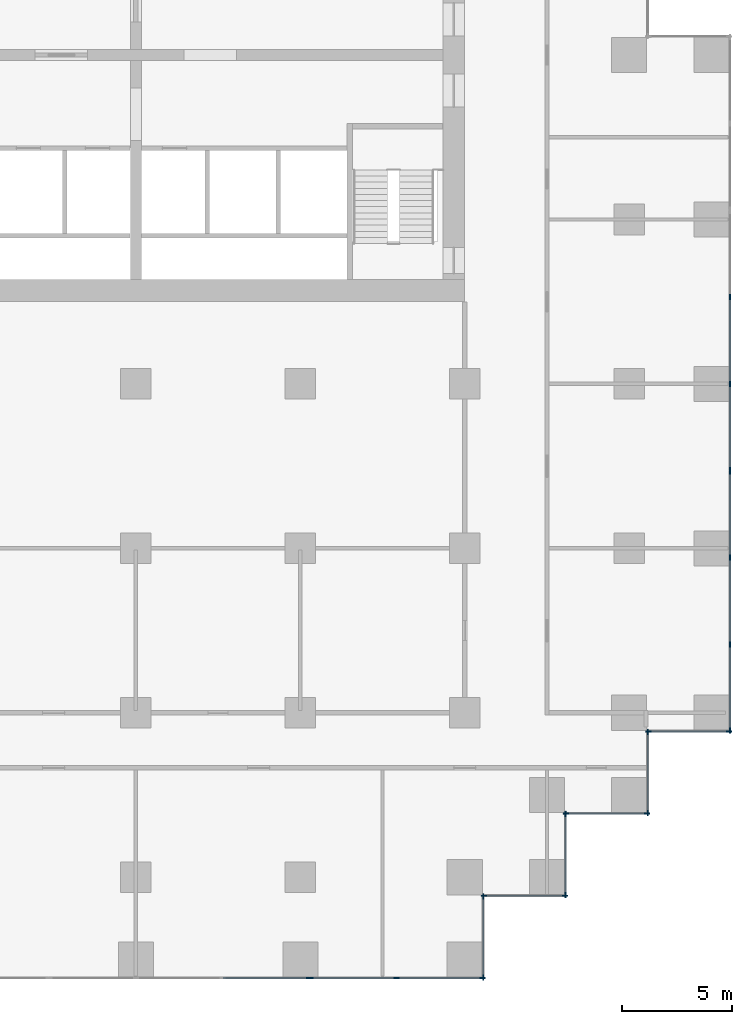
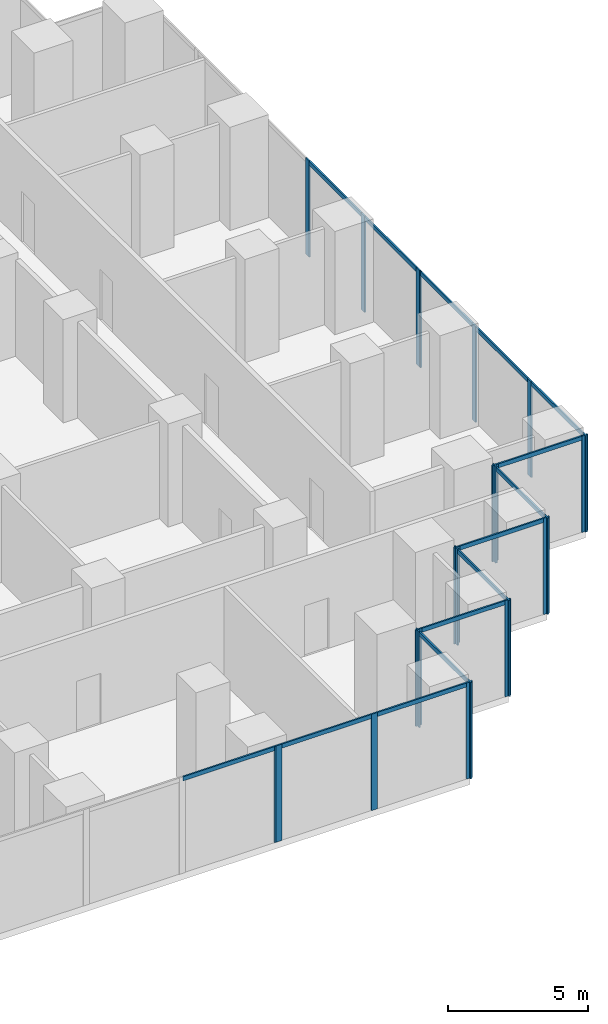
# One storey, part 3 of 10: 37 members, 10 elements without a shape of their own.
"""IFC4 building model written with IfcOpenShell, lengths in metres."""

import ifcopenshell
import ifcopenshell.guid

model = None  # the IFC model being written
_history = None  # IfcOwnerHistory: only IFC2X3 demands one
_inside = {}  # id of a spatial element -> (the spatial element, [elements in it])
_under = {}  # id of a project, library or spatial element -> (it, [spatial elements below it])
_declared = {}  # id of a project -> (the project, [libraries it declares])
_typed = {}  # id of a type object -> (the type object, [elements of that type])
_made_of = {}  # id of a material, layer set ... -> (it, [elements and type objects made of it])


def new_model(schema):
    """Start an empty IFC model of exactly this schema.

    Asked for "IFC4X3", IfcOpenShell would pick the latest addendum, in which some entities
    have other attributes; the version numbers below select the first issue.
    IFC2X3 requires an IfcOwnerHistory on every rooted entity: one is made here for all.
    """
    global model, _history
    if schema == "IFC4X3":
        model = ifcopenshell.file(schema_version=(4, 3, 0, 0))
    else:
        model = ifcopenshell.file(schema=schema)
    _inside.clear()
    _under.clear()
    _declared.clear()
    _typed.clear()
    _made_of.clear()
    _history = None
    if model.schema == "IFC2X3":
        org = make("IfcOrganization", Name="unknown")
        user = make(
            "IfcPersonAndOrganization",
            ThePerson=make("IfcPerson", FamilyName="unknown"),
            TheOrganization=org,
        )
        app = make(
            "IfcApplication",
            ApplicationDeveloper=org,
            Version="unknown",
            ApplicationFullName="unknown",
            ApplicationIdentifier="unknown",
        )
        _history = make(
            "IfcOwnerHistory",
            OwningUser=user,
            OwningApplication=app,
            ChangeAction="ADDED",
            CreationDate=0,
        )
    return model


def make(cls, **values):
    """One entity of the class cls with the attributes given. An attribute that is None is left unset."""
    return model.create_entity(
        cls, **{name: value for name, value in values.items() if value is not None}
    )


def rooted(cls, **values):
    """An entity with a GlobalId (a new one), such as an element, a storey or a relation."""
    return make(cls, GlobalId=ifcopenshell.guid.new(), OwnerHistory=_history, **values)


def si_unit(unit_type, name, prefix=None):
    """IfcSIUnit, for example si_unit("LENGTHUNIT", "METRE", prefix="MILLI")."""
    return make("IfcSIUnit", UnitType=unit_type, Prefix=prefix, Name=name)


def assignment(units):
    """IfcUnitAssignment: the units of a project."""
    return None if units is None else make("IfcUnitAssignment", Units=units)


def point(xyz):
    """IfcCartesianPoint."""
    return None if xyz is None else make("IfcCartesianPoint", Coordinates=xyz)


def direction(xyz):
    """IfcDirection."""
    return None if xyz is None else make("IfcDirection", DirectionRatios=xyz)


def frame(location, z_axis=None, x_axis=None):
    """IfcAxis2Placement3D, a coordinate frame: its origin and axes. An axis left out is left unset."""
    return make(
        "IfcAxis2Placement3D",
        Location=point(location),
        Axis=direction(z_axis),
        RefDirection=direction(x_axis),
    )


def frame_2d(location, x_axis=None):
    """IfcAxis2Placement2D, a coordinate frame in the plane: its origin and x axis."""
    return make(
        "IfcAxis2Placement2D", Location=point(location), RefDirection=direction(x_axis)
    )


def origin():
    """The frame at (0, 0, 0) with its axes left unset."""
    return frame((0.0, 0.0, 0.0))


def origin_2d():
    """The frame at (0, 0) in the plane with its x axis left unset."""
    return frame_2d((0.0, 0.0))


def place(relative_to, where):
    """IfcLocalPlacement: puts the frame where relative to a parent placement (None: the world)."""
    return make(
        "IfcLocalPlacement", PlacementRelTo=relative_to, RelativePlacement=where
    )


def context(
    kind, dimensions, precision=None, world=None, true_north=None, identifier=None
):
    """IfcGeometricRepresentationContext, for example the 3D "Model" context."""
    return make(
        "IfcGeometricRepresentationContext",
        ContextIdentifier=identifier,
        ContextType=kind,
        CoordinateSpaceDimension=dimensions,
        Precision=precision,
        WorldCoordinateSystem=world,
        TrueNorth=true_north,
    )


def subcontext(parent, identifier, kind, view, scale=None):
    """IfcGeometricRepresentationSubContext, for example "Body" below "Model"."""
    return make(
        "IfcGeometricRepresentationSubContext",
        ContextIdentifier=identifier,
        ContextType=kind,
        ParentContext=parent,
        TargetScale=scale,
        TargetView=view,
    )


def project(units=None, contexts=None):
    """IfcProject with its units and contexts."""
    return rooted(
        "IfcProject",
        Name="project",
        RepresentationContexts=contexts,
        UnitsInContext=assignment(units),
    )


def spatial(cls, under=None, at=None, **own):
    """A site, building, storey or space (cls), placed at a placement, below another one or the project."""
    s = rooted(cls, ObjectPlacement=at, **own)
    if under is not None:
        _under.setdefault(under.id(), (under, []))[1].append(s)
    return s


def profile(cls, at=None, kind="AREA", **sizes):
    """A parametric profile (cls). Its sizes go by their IFC names, for example OverallWidth=200.0."""
    return make(cls, ProfileType=kind, Position=at, **sizes)


def rectangle(**sizes):
    """IfcRectangleProfileDef."""
    return profile("IfcRectangleProfileDef", **sizes)


def extrude(swept, where, along, depth):
    """IfcExtrudedAreaSolid: the profile swept, set in the frame where, extruded along a direction by depth."""
    return make(
        "IfcExtrudedAreaSolid",
        SweptArea=swept,
        Position=where,
        ExtrudedDirection=direction(along),
        Depth=depth,
    )


def shape(context_of_items, identifier, shape_type, items):
    """IfcShapeRepresentation: the items that make up one representation, for example the "Body"."""
    return make(
        "IfcShapeRepresentation",
        ContextOfItems=context_of_items,
        RepresentationIdentifier=identifier,
        RepresentationType=shape_type,
        Items=items,
    )


def material(Name=None, Category=None):
    """IfcMaterial."""
    return make("IfcMaterial", Name=Name, Category=Category)


def material_profile(
    of_material, cross_section, Name=None, Category=None, Priority=None
):
    """IfcMaterialProfile: a cross section and its material."""
    return make(
        "IfcMaterialProfile",
        Name=Name,
        Material=of_material,
        Profile=cross_section,
        Priority=Priority,
        Category=Category,
    )


def profile_set(profiles, Name=None, composite=None):
    """IfcMaterialProfileSet."""
    return make(
        "IfcMaterialProfileSet",
        Name=Name,
        MaterialProfiles=profiles,
        CompositeProfile=composite,
    )


def made_of(thing, what):
    """Note that an element or type object is made of a material, layer set ...; save() writes the relation."""
    if what is not None:
        _made_of.setdefault(what.id(), (what, []))[1].append(thing)
    return thing


def type_object(cls, material=None, **own):
    """A type object (cls), such as IfcWallType, which elements share."""
    return made_of(rooted(cls, **own), material)


def element(
    cls,
    number,
    at=None,
    inside=None,
    cuts=None,
    type_object=None,
    material=None,
    context=None,
    identifier="Body",
    shape_type=None,
    held_by="IfcProductDefinitionShape",
    body=None,
    shapes=None,
    **own,
):
    """One element of the class cls, such as IfcWall. Its Tag is "e" and its number.

    at: its placement. inside: the storey or other place that contains it. cuts: it is an
    opening in that element (IfcRelVoidsElement). A single representation is given by context,
    identifier, shape_type and body (its items); several are given by shapes. held_by: the class
    of the entity that holds the representations. save() writes the other relations.
    """
    e = rooted(cls, Tag="e%d" % number, ObjectPlacement=at, **own)
    if body is not None:
        shapes = [shape(context, identifier, shape_type, body)]
    if shapes is not None:
        e.Representation = make(held_by, Representations=shapes)
    if inside is not None:
        _inside.setdefault(inside.id(), (inside, []))[1].append(e)
    if cuts is not None:
        rooted(
            "IfcRelVoidsElement", RelatingBuildingElement=cuts, RelatedOpeningElement=e
        )
    if type_object is not None:
        _typed.setdefault(type_object.id(), (type_object, []))[1].append(e)
    return made_of(e, material)


def aggregate(whole, parts):
    """IfcRelAggregates: a whole, such as a stair, and the parts it consists of."""
    return rooted("IfcRelAggregates", RelatingObject=whole, RelatedObjects=parts)


def save(model, path):
    """Write the relations noted so far, then the file.

    IfcRelAggregates (storeys below a building ...), IfcRelContainedInSpatialStructure (elements
    in a storey), IfcRelDefinesByType, IfcRelAssociatesMaterial and IfcRelDeclares: one each for
    every whole, place, type object, material and project.
    """
    for whole, parts in _under.values():
        aggregate(whole, parts)
    for where, things in _inside.values():
        rooted(
            "IfcRelContainedInSpatialStructure",
            RelatedElements=things,
            RelatingStructure=where,
        )
    for kind, things in _typed.values():
        rooted("IfcRelDefinesByType", RelatedObjects=things, RelatingType=kind)
    for what, things in _made_of.values():
        rooted("IfcRelAssociatesMaterial", RelatedObjects=things, RelatingMaterial=what)
    for by, libraries in _declared.values():
        rooted("IfcRelDeclares", RelatingContext=by, RelatedDefinitions=libraries)
    model.write(path)


model = new_model("IFC4")

# Units and contexts
model_context = context("Model", 3, precision=1e-05, world=origin(), true_north=direction((0.0, 1.0)))
body_context = subcontext(model_context, "Body", "Model", "MODEL_VIEW")
ifc_project = project(units=[si_unit("LENGTHUNIT", "METRE"), si_unit("AREAUNIT", "SQUARE_METRE"), si_unit("VOLUMEUNIT", "CUBIC_METRE"), si_unit("PLANEANGLEUNIT", "RADIAN"), si_unit("MASSUNIT", "GRAM", prefix="KILO")], contexts=[model_context])

# Site, building, storey
site_placement = place(None, origin())
site = spatial("IfcSite", under=ifc_project, at=site_placement, CompositionType="ELEMENT")
building_placement = place(site_placement, origin())
building = spatial("IfcBuilding", under=site, at=building_placement, Name="Pilkhan Gate Tower", CompositionType="ELEMENT")
storey_placement = place(building_placement, frame((0.0, 0.0, 35.0)))
storey = spatial("IfcBuildingStorey", under=building, at=storey_placement, Name="L05", CompositionType="ELEMENT", Elevation=35.0)

# Curtain wall, members
ifc_material_1 = material(Name="Pale anodised aluminium, clear low-iron double glazing", Category="aluminium")
curtain_wall_type = type_object("IfcCurtainWallType", Name="Hotel unitised curtain wall CW-H", PredefinedType="USERDEFINED", material=ifc_material_1)
curtain_wall_1_placement = place(storey_placement, origin())
curtain_wall_1 = element("IfcCurtainWall", 1, at=curtain_wall_1_placement, inside=storey, type_object=curtain_wall_type, Name="Hotel unitised curtain wall CW-H L05 E", ObjectType="UNITISED CURTAIN WALL", PredefinedType="USERDEFINED")
ifc_material_2 = material(Name="Pale anodised aluminium", Category="aluminium")
ifc_material_profile_1 = material_profile(ifc_material_2, rectangle(XDim=0.06494140625, YDim=0.25, at=origin_2d()), Name="Mullion 250x65")
ifc_profile_set_1 = profile_set([ifc_material_profile_1], Name="Pale anodised aluminium")
member_type_1 = type_object("IfcMemberType", Name="Mullion CW-H 250x65", PredefinedType="MULLION", material=ifc_profile_set_1)
member_1_placement = place(storey_placement, frame((102.094970703125, 51.6875, 0.0), z_axis=(0.0, 0.0, 1.0), x_axis=(-1.0, 0.0, 0.0)))
member_1 = element("IfcMember", 2, at=member_1_placement, type_object=member_type_1, Name="CW-H mullion 1", PredefinedType="MULLION", context=body_context, shape_type="SweptSolid", body=[
    extrude(rectangle(XDim=0.06494140625, YDim=0.25, at=origin_2d()), origin(), (0.0, 0.0, 1.0), 4.199951171875),
])
member_2_placement = place(storey_placement, frame((102.094970703125, 55.6162109375, 0.0), z_axis=(0.0, 0.0, 1.0), x_axis=(-1.0, 0.0, 0.0)))
member_2 = element("IfcMember", 3, at=member_2_placement, type_object=member_type_1, Name="CW-H mullion 2", PredefinedType="MULLION", context=body_context, shape_type="SweptSolid", body=[
    extrude(rectangle(XDim=0.06494140625, YDim=0.25, at=origin_2d()), origin(), (0.0, 0.0, 1.0), 4.199951171875),
])
member_3_placement = place(storey_placement, frame((102.094970703125, 59.577392578125, 0.0), z_axis=(0.0, 0.0, 1.0), x_axis=(-1.0, 0.0, 0.0)))
member_3 = element("IfcMember", 4, at=member_3_placement, type_object=member_type_1, Name="CW-H mullion 3", PredefinedType="MULLION", context=body_context, shape_type="SweptSolid", body=[
    extrude(rectangle(XDim=0.06494140625, YDim=0.25, at=origin_2d()), origin(), (0.0, 0.0, 1.0), 4.199951171875),
])
member_4_placement = place(storey_placement, frame((102.094970703125, 63.50634765625, 0.0), z_axis=(0.0, 0.0, 1.0), x_axis=(-1.0, 0.0, 0.0)))
member_4 = element("IfcMember", 5, at=member_4_placement, type_object=member_type_1, Name="CW-H mullion 4", PredefinedType="MULLION", context=body_context, shape_type="SweptSolid", body=[
    extrude(rectangle(XDim=0.06494140625, YDim=0.25, at=origin_2d()), origin(), (0.0, 0.0, 1.0), 4.199951171875),
])

curtain_wall_2_placement = place(storey_placement, origin())
curtain_wall_2 = element("IfcCurtainWall", 6, at=curtain_wall_2_placement, inside=storey, type_object=curtain_wall_type, Name="Hotel unitised curtain wall CW-H L05 E", ObjectType="UNITISED CURTAIN WALL", PredefinedType="USERDEFINED")
member_5_placement = place(storey_placement, frame((102.094970703125, 63.5712890625, 0.0), z_axis=(0.0, 0.0, 1.0), x_axis=(-1.0, 0.0, 0.0)))
member_5 = element("IfcMember", 7, at=member_5_placement, type_object=member_type_1, Name="CW-H mullion 1", PredefinedType="MULLION", context=body_context, shape_type="SweptSolid", body=[
    extrude(rectangle(XDim=0.06494140625, YDim=0.25, at=origin_2d()), origin(), (0.0, 0.0, 1.0), 4.199951171875),
])
member_6_placement = place(storey_placement, frame((102.094970703125, 67.5, 0.0), z_axis=(0.0, 0.0, 1.0), x_axis=(-1.0, 0.0, 0.0)))
member_6 = element("IfcMember", 8, at=member_6_placement, type_object=member_type_1, Name="CW-H mullion 2", PredefinedType="MULLION", context=body_context, shape_type="SweptSolid", body=[
    extrude(rectangle(XDim=0.06494140625, YDim=0.25, at=origin_2d()), origin(), (0.0, 0.0, 1.0), 4.199951171875),
])
member_7_placement = place(storey_placement, frame((102.094970703125, 71.461181640625, 0.0), z_axis=(0.0, 0.0, 1.0), x_axis=(-1.0, 0.0, 0.0)))
member_7 = element("IfcMember", 9, at=member_7_placement, type_object=member_type_1, Name="CW-H mullion 3", PredefinedType="MULLION", context=body_context, shape_type="SweptSolid", body=[
    extrude(rectangle(XDim=0.06494140625, YDim=0.25, at=origin_2d()), origin(), (0.0, 0.0, 1.0), 4.199951171875),
])

# Curtain wall, member
curtain_wall_3_placement = place(storey_placement, origin())
curtain_wall_3 = element("IfcCurtainWall", 10, at=curtain_wall_3_placement, inside=storey, type_object=curtain_wall_type, Name="Hotel unitised curtain wall CW-H L05 S", ObjectType="UNITISED CURTAIN WALL", PredefinedType="USERDEFINED")
member_8_placement = place(storey_placement, frame((82.889892578125, 40.405029296875, 0.0), z_axis=(0.0, 0.0, 1.0), x_axis=(0.0, 1.0, 0.0)))
member_8 = element("IfcMember", 11, at=member_8_placement, type_object=member_type_1, Name="CW-H mullion 4", PredefinedType="MULLION", context=body_context, shape_type="SweptSolid", body=[
    extrude(rectangle(XDim=0.06494140625, YDim=0.25, at=origin_2d()), origin(), (0.0, 0.0, 1.0), 4.199951171875),
])

# Curtain wall, members
curtain_wall_4_placement = place(storey_placement, origin())
curtain_wall_4 = element("IfcCurtainWall", 12, at=curtain_wall_4_placement, inside=storey, type_object=curtain_wall_type, Name="Hotel unitised curtain wall CW-H L05 S", ObjectType="UNITISED CURTAIN WALL", PredefinedType="USERDEFINED")
member_9_placement = place(storey_placement, frame((82.955078125, 40.405029296875, 0.0), z_axis=(0.0, 0.0, 1.0), x_axis=(0.0, 1.0, 0.0)))
member_9 = element("IfcMember", 13, at=member_9_placement, type_object=member_type_1, Name="CW-H mullion 1", PredefinedType="MULLION", context=body_context, shape_type="SweptSolid", body=[
    extrude(rectangle(XDim=0.06494140625, YDim=0.25, at=origin_2d()), origin(), (0.0, 0.0, 1.0), 4.199951171875),
])
member_10_placement = place(storey_placement, frame((86.8837890625, 40.405029296875, 0.0), z_axis=(0.0, 0.0, 1.0), x_axis=(0.0, 1.0, 0.0)))
member_10 = element("IfcMember", 14, at=member_10_placement, type_object=member_type_1, Name="CW-H mullion 2", PredefinedType="MULLION", context=body_context, shape_type="SweptSolid", body=[
    extrude(rectangle(XDim=0.06494140625, YDim=0.25, at=origin_2d()), origin(), (0.0, 0.0, 1.0), 4.199951171875),
])
member_11_placement = place(storey_placement, frame((90.8125, 40.405029296875, 0.0), z_axis=(0.0, 0.0, 1.0), x_axis=(0.0, 1.0, 0.0)))
member_11 = element("IfcMember", 15, at=member_11_placement, type_object=member_type_1, Name="CW-H mullion 3", PredefinedType="MULLION", context=body_context, shape_type="SweptSolid", body=[
    extrude(rectangle(XDim=0.06494140625, YDim=0.25, at=origin_2d()), origin(), (0.0, 0.0, 1.0), 4.199951171875),
])

curtain_wall_5_placement = place(storey_placement, origin())
curtain_wall_5 = element("IfcCurtainWall", 16, at=curtain_wall_5_placement, inside=storey, type_object=curtain_wall_type, Name="Hotel unitised curtain wall CW-H L05 E", ObjectType="UNITISED CURTAIN WALL", PredefinedType="USERDEFINED")
member_12_placement = place(storey_placement, frame((90.844970703125, 40.4375, 0.0), z_axis=(0.0, 0.0, 1.0), x_axis=(-1.0, 0.0, 0.0)))
member_12 = element("IfcMember", 17, at=member_12_placement, type_object=member_type_1, Name="CW-H mullion 1", PredefinedType="MULLION", context=body_context, shape_type="SweptSolid", body=[
    extrude(rectangle(XDim=0.06494140625, YDim=0.25, at=origin_2d()), origin(), (0.0, 0.0, 1.0), 4.199951171875),
])
member_13_placement = place(storey_placement, frame((90.844970703125, 44.12255859375, 0.0), z_axis=(0.0, 0.0, 1.0), x_axis=(-1.0, 0.0, 0.0)))
member_13 = element("IfcMember", 18, at=member_13_placement, type_object=member_type_1, Name="CW-H mullion 2", PredefinedType="MULLION", context=body_context, shape_type="SweptSolid", body=[
    extrude(rectangle(XDim=0.06494140625, YDim=0.25, at=origin_2d()), origin(), (0.0, 0.0, 1.0), 4.199951171875),
])

curtain_wall_6_placement = place(storey_placement, origin())
curtain_wall_6 = element("IfcCurtainWall", 19, at=curtain_wall_6_placement, inside=storey, type_object=curtain_wall_type, Name="Hotel unitised curtain wall CW-H L05 S", ObjectType="UNITISED CURTAIN WALL", PredefinedType="USERDEFINED")
member_14_placement = place(storey_placement, frame((90.87744140625, 44.155029296875, 0.0), z_axis=(0.0, 0.0, 1.0), x_axis=(0.0, 1.0, 0.0)))
member_14 = element("IfcMember", 20, at=member_14_placement, type_object=member_type_1, Name="CW-H mullion 1", PredefinedType="MULLION", context=body_context, shape_type="SweptSolid", body=[
    extrude(rectangle(XDim=0.06494140625, YDim=0.25, at=origin_2d()), origin(), (0.0, 0.0, 1.0), 4.199951171875),
])
member_15_placement = place(storey_placement, frame((94.5625, 44.155029296875, 0.0), z_axis=(0.0, 0.0, 1.0), x_axis=(0.0, 1.0, 0.0)))
member_15 = element("IfcMember", 21, at=member_15_placement, type_object=member_type_1, Name="CW-H mullion 2", PredefinedType="MULLION", context=body_context, shape_type="SweptSolid", body=[
    extrude(rectangle(XDim=0.06494140625, YDim=0.25, at=origin_2d()), origin(), (0.0, 0.0, 1.0), 4.199951171875),
])

curtain_wall_7_placement = place(storey_placement, origin())
curtain_wall_7 = element("IfcCurtainWall", 22, at=curtain_wall_7_placement, inside=storey, type_object=curtain_wall_type, Name="Hotel unitised curtain wall CW-H L05 E", ObjectType="UNITISED CURTAIN WALL", PredefinedType="USERDEFINED")
member_16_placement = place(storey_placement, frame((94.594970703125, 44.1875, 0.0), z_axis=(0.0, 0.0, 1.0), x_axis=(-1.0, 0.0, 0.0)))
member_16 = element("IfcMember", 23, at=member_16_placement, type_object=member_type_1, Name="CW-H mullion 1", PredefinedType="MULLION", context=body_context, shape_type="SweptSolid", body=[
    extrude(rectangle(XDim=0.06494140625, YDim=0.25, at=origin_2d()), origin(), (0.0, 0.0, 1.0), 4.199951171875),
])
member_17_placement = place(storey_placement, frame((94.594970703125, 47.87255859375, 0.0), z_axis=(0.0, 0.0, 1.0), x_axis=(-1.0, 0.0, 0.0)))
member_17 = element("IfcMember", 24, at=member_17_placement, type_object=member_type_1, Name="CW-H mullion 2", PredefinedType="MULLION", context=body_context, shape_type="SweptSolid", body=[
    extrude(rectangle(XDim=0.06494140625, YDim=0.25, at=origin_2d()), origin(), (0.0, 0.0, 1.0), 4.199951171875),
])

curtain_wall_8_placement = place(storey_placement, origin())
curtain_wall_8 = element("IfcCurtainWall", 25, at=curtain_wall_8_placement, inside=storey, type_object=curtain_wall_type, Name="Hotel unitised curtain wall CW-H L05 S", ObjectType="UNITISED CURTAIN WALL", PredefinedType="USERDEFINED")
member_18_placement = place(storey_placement, frame((94.62744140625, 47.905029296875, 0.0), z_axis=(0.0, 0.0, 1.0), x_axis=(0.0, 1.0, 0.0)))
member_18 = element("IfcMember", 26, at=member_18_placement, type_object=member_type_1, Name="CW-H mullion 1", PredefinedType="MULLION", context=body_context, shape_type="SweptSolid", body=[
    extrude(rectangle(XDim=0.06494140625, YDim=0.25, at=origin_2d()), origin(), (0.0, 0.0, 1.0), 4.199951171875),
])
member_19_placement = place(storey_placement, frame((98.3125, 47.905029296875, 0.0), z_axis=(0.0, 0.0, 1.0), x_axis=(0.0, 1.0, 0.0)))
member_19 = element("IfcMember", 27, at=member_19_placement, type_object=member_type_1, Name="CW-H mullion 2", PredefinedType="MULLION", context=body_context, shape_type="SweptSolid", body=[
    extrude(rectangle(XDim=0.06494140625, YDim=0.25, at=origin_2d()), origin(), (0.0, 0.0, 1.0), 4.199951171875),
])

curtain_wall_9_placement = place(storey_placement, origin())
curtain_wall_9 = element("IfcCurtainWall", 28, at=curtain_wall_9_placement, inside=storey, type_object=curtain_wall_type, Name="Hotel unitised curtain wall CW-H L05 E", ObjectType="UNITISED CURTAIN WALL", PredefinedType="USERDEFINED")
member_20_placement = place(storey_placement, frame((98.344970703125, 47.9375, 0.0), z_axis=(0.0, 0.0, 1.0), x_axis=(-1.0, 0.0, 0.0)))
member_20 = element("IfcMember", 29, at=member_20_placement, type_object=member_type_1, Name="CW-H mullion 1", PredefinedType="MULLION", context=body_context, shape_type="SweptSolid", body=[
    extrude(rectangle(XDim=0.06494140625, YDim=0.25, at=origin_2d()), origin(), (0.0, 0.0, 1.0), 4.199951171875),
])
member_21_placement = place(storey_placement, frame((98.344970703125, 51.62255859375, 0.0), z_axis=(0.0, 0.0, 1.0), x_axis=(-1.0, 0.0, 0.0)))
member_21 = element("IfcMember", 30, at=member_21_placement, type_object=member_type_1, Name="CW-H mullion 2", PredefinedType="MULLION", context=body_context, shape_type="SweptSolid", body=[
    extrude(rectangle(XDim=0.06494140625, YDim=0.25, at=origin_2d()), origin(), (0.0, 0.0, 1.0), 4.199951171875),
])

curtain_wall_10_placement = place(storey_placement, origin())
curtain_wall_10 = element("IfcCurtainWall", 31, at=curtain_wall_10_placement, inside=storey, type_object=curtain_wall_type, Name="Hotel unitised curtain wall CW-H L05 S", ObjectType="UNITISED CURTAIN WALL", PredefinedType="USERDEFINED")
member_22_placement = place(storey_placement, frame((98.37744140625, 51.655029296875, 0.0), z_axis=(0.0, 0.0, 1.0), x_axis=(0.0, 1.0, 0.0)))
member_22 = element("IfcMember", 32, at=member_22_placement, type_object=member_type_1, Name="CW-H mullion 1", PredefinedType="MULLION", context=body_context, shape_type="SweptSolid", body=[
    extrude(rectangle(XDim=0.06494140625, YDim=0.25, at=origin_2d()), origin(), (0.0, 0.0, 1.0), 4.199951171875),
])
member_23_placement = place(storey_placement, frame((102.0625, 51.655029296875, 0.0), z_axis=(0.0, 0.0, 1.0), x_axis=(0.0, 1.0, 0.0)))
member_23 = element("IfcMember", 33, at=member_23_placement, type_object=member_type_1, Name="CW-H mullion 2", PredefinedType="MULLION", context=body_context, shape_type="SweptSolid", body=[
    extrude(rectangle(XDim=0.06494140625, YDim=0.25, at=origin_2d()), origin(), (0.0, 0.0, 1.0), 4.199951171875),
])

# Member
ifc_material_profile_2 = material_profile(ifc_material_2, rectangle(XDim=0.06494140625, YDim=0.179931640625, at=origin_2d()), Name="Transom 180x65")
ifc_profile_set_2 = profile_set([ifc_material_profile_2], Name="Pale anodised aluminium")
member_type_2 = type_object("IfcMemberType", Name="Transom CW-H 180x65", PredefinedType="USERDEFINED", material=ifc_profile_set_2)
member_24_placement = place(storey_placement, frame((102.094970703125, 51.719970703125, 4.110107421875), z_axis=(0.0, 1.0, 0.0), x_axis=(-1.0, 0.0, 0.0)))
member_24 = element("IfcMember", 34, at=member_24_placement, type_object=member_type_2, Name="CW-H transom 1", ObjectType="TRANSOM", PredefinedType="USERDEFINED", context=body_context, shape_type="SweptSolid", body=[
    extrude(rectangle(XDim=0.06494140625, YDim=0.179931640625, at=origin_2d()), origin(), (0.0, 0.0, 1.0), 3.86376953125),
])

member_25_placement = place(storey_placement, frame((102.094970703125, 55.648681640625, 4.110107421875), z_axis=(0.0, 1.0, 0.0), x_axis=(-1.0, 0.0, 0.0)))
member_25 = element("IfcMember", 35, at=member_25_placement, type_object=member_type_2, Name="CW-H transom 2", ObjectType="TRANSOM", PredefinedType="USERDEFINED", context=body_context, shape_type="SweptSolid", body=[
    extrude(rectangle(XDim=0.06494140625, YDim=0.179931640625, at=origin_2d()), origin(), (0.0, 0.0, 1.0), 3.896240234375),
])

member_26_placement = place(storey_placement, frame((102.094970703125, 59.610107421875, 4.110107421875), z_axis=(0.0, 1.0, 0.0), x_axis=(-1.0, 0.0, 0.0)))
member_26 = element("IfcMember", 36, at=member_26_placement, type_object=member_type_2, Name="CW-H transom 3", ObjectType="TRANSOM", PredefinedType="USERDEFINED", context=body_context, shape_type="SweptSolid", body=[
    extrude(rectangle(XDim=0.06494140625, YDim=0.179931640625, at=origin_2d()), origin(), (0.0, 0.0, 1.0), 3.863525390625),
])

aggregate(curtain_wall_1, [member_1, member_2, member_3, member_4, member_24, member_25, member_26])

member_27_placement = place(storey_placement, frame((102.094970703125, 63.603759765625, 4.110107421875), z_axis=(0.0, 1.0, 0.0), x_axis=(-1.0, 0.0, 0.0)))
member_27 = element("IfcMember", 37, at=member_27_placement, type_object=member_type_2, Name="CW-H transom 1", ObjectType="TRANSOM", PredefinedType="USERDEFINED", context=body_context, shape_type="SweptSolid", body=[
    extrude(rectangle(XDim=0.06494140625, YDim=0.179931640625, at=origin_2d()), origin(), (0.0, 0.0, 1.0), 3.86376953125),
])

member_28_placement = place(storey_placement, frame((102.094970703125, 67.532470703125, 4.110107421875), z_axis=(0.0, 1.0, 0.0), x_axis=(-1.0, 0.0, 0.0)))
member_28 = element("IfcMember", 38, at=member_28_placement, type_object=member_type_2, Name="CW-H transom 2", ObjectType="TRANSOM", PredefinedType="USERDEFINED", context=body_context, shape_type="SweptSolid", body=[
    extrude(rectangle(XDim=0.06494140625, YDim=0.179931640625, at=origin_2d()), origin(), (0.0, 0.0, 1.0), 3.896240234375),
])

aggregate(curtain_wall_2, [member_5, member_6, member_7, member_27, member_28])

member_29_placement = place(storey_placement, frame((78.99365234375, 40.405029296875, 4.110107421875), z_axis=(1.0, 0.0, 0.0), x_axis=(0.0, 1.0, 0.0)))
member_29 = element("IfcMember", 39, at=member_29_placement, type_object=member_type_2, Name="CW-H transom 3", ObjectType="TRANSOM", PredefinedType="USERDEFINED", context=body_context, shape_type="SweptSolid", body=[
    extrude(rectangle(XDim=0.06494140625, YDim=0.179931640625, at=origin_2d()), origin(), (0.0, 0.0, 1.0), 3.86376953125),
])

aggregate(curtain_wall_3, [member_8, member_29])

member_30_placement = place(storey_placement, frame((82.987548828125, 40.405029296875, 4.110107421875), z_axis=(1.0, 0.0, 0.0), x_axis=(0.0, 1.0, 0.0)))
member_30 = element("IfcMember", 40, at=member_30_placement, type_object=member_type_2, Name="CW-H transom 1", ObjectType="TRANSOM", PredefinedType="USERDEFINED", context=body_context, shape_type="SweptSolid", body=[
    extrude(rectangle(XDim=0.06494140625, YDim=0.179931640625, at=origin_2d()), origin(), (0.0, 0.0, 1.0), 3.86376953125),
])

member_31_placement = place(storey_placement, frame((86.916259765625, 40.405029296875, 4.110107421875), z_axis=(1.0, 0.0, 0.0), x_axis=(0.0, 1.0, 0.0)))
member_31 = element("IfcMember", 41, at=member_31_placement, type_object=member_type_2, Name="CW-H transom 2", ObjectType="TRANSOM", PredefinedType="USERDEFINED", context=body_context, shape_type="SweptSolid", body=[
    extrude(rectangle(XDim=0.06494140625, YDim=0.179931640625, at=origin_2d()), origin(), (0.0, 0.0, 1.0), 3.86376953125),
])

aggregate(curtain_wall_4, [member_9, member_10, member_11, member_30, member_31])

member_32_placement = place(storey_placement, frame((90.844970703125, 40.469970703125, 4.110107421875), z_axis=(0.0, 1.0, 0.0), x_axis=(-1.0, 0.0, 0.0)))
member_32 = element("IfcMember", 42, at=member_32_placement, type_object=member_type_2, Name="CW-H transom 1", ObjectType="TRANSOM", PredefinedType="USERDEFINED", context=body_context, shape_type="SweptSolid", body=[
    extrude(rectangle(XDim=0.06494140625, YDim=0.179931640625, at=origin_2d()), origin(), (0.0, 0.0, 1.0), 3.6201171875),
])

aggregate(curtain_wall_5, [member_12, member_13, member_32])

member_33_placement = place(storey_placement, frame((90.909912109375, 44.155029296875, 4.110107421875), z_axis=(1.0, 0.0, 0.0), x_axis=(0.0, 1.0, 0.0)))
member_33 = element("IfcMember", 43, at=member_33_placement, type_object=member_type_2, Name="CW-H transom 1", ObjectType="TRANSOM", PredefinedType="USERDEFINED", context=body_context, shape_type="SweptSolid", body=[
    extrude(rectangle(XDim=0.06494140625, YDim=0.179931640625, at=origin_2d()), origin(), (0.0, 0.0, 1.0), 3.6201171875),
])

aggregate(curtain_wall_6, [member_14, member_15, member_33])

member_34_placement = place(storey_placement, frame((94.594970703125, 44.219970703125, 4.110107421875), z_axis=(0.0, 1.0, 0.0), x_axis=(-1.0, 0.0, 0.0)))
member_34 = element("IfcMember", 44, at=member_34_placement, type_object=member_type_2, Name="CW-H transom 1", ObjectType="TRANSOM", PredefinedType="USERDEFINED", context=body_context, shape_type="SweptSolid", body=[
    extrude(rectangle(XDim=0.06494140625, YDim=0.179931640625, at=origin_2d()), origin(), (0.0, 0.0, 1.0), 3.6201171875),
])

aggregate(curtain_wall_7, [member_16, member_17, member_34])

member_35_placement = place(storey_placement, frame((94.659912109375, 47.905029296875, 4.110107421875), z_axis=(1.0, 0.0, 0.0), x_axis=(0.0, 1.0, 0.0)))
member_35 = element("IfcMember", 45, at=member_35_placement, type_object=member_type_2, Name="CW-H transom 1", ObjectType="TRANSOM", PredefinedType="USERDEFINED", context=body_context, shape_type="SweptSolid", body=[
    extrude(rectangle(XDim=0.06494140625, YDim=0.179931640625, at=origin_2d()), origin(), (0.0, 0.0, 1.0), 3.6201171875),
])

aggregate(curtain_wall_8, [member_18, member_19, member_35])

member_36_placement = place(storey_placement, frame((98.344970703125, 47.969970703125, 4.110107421875), z_axis=(0.0, 1.0, 0.0), x_axis=(-1.0, 0.0, 0.0)))
member_36 = element("IfcMember", 46, at=member_36_placement, type_object=member_type_2, Name="CW-H transom 1", ObjectType="TRANSOM", PredefinedType="USERDEFINED", context=body_context, shape_type="SweptSolid", body=[
    extrude(rectangle(XDim=0.06494140625, YDim=0.179931640625, at=origin_2d()), origin(), (0.0, 0.0, 1.0), 3.6201171875),
])

aggregate(curtain_wall_9, [member_20, member_21, member_36])

member_37_placement = place(storey_placement, frame((98.409912109375, 51.655029296875, 4.110107421875), z_axis=(1.0, 0.0, 0.0), x_axis=(0.0, 1.0, 0.0)))
member_37 = element("IfcMember", 47, at=member_37_placement, type_object=member_type_2, Name="CW-H transom 1", ObjectType="TRANSOM", PredefinedType="USERDEFINED", context=body_context, shape_type="SweptSolid", body=[
    extrude(rectangle(XDim=0.06494140625, YDim=0.179931640625, at=origin_2d()), origin(), (0.0, 0.0, 1.0), 3.6201171875),
])

aggregate(curtain_wall_10, [member_22, member_23, member_37])

save(model, "model.ifc")
